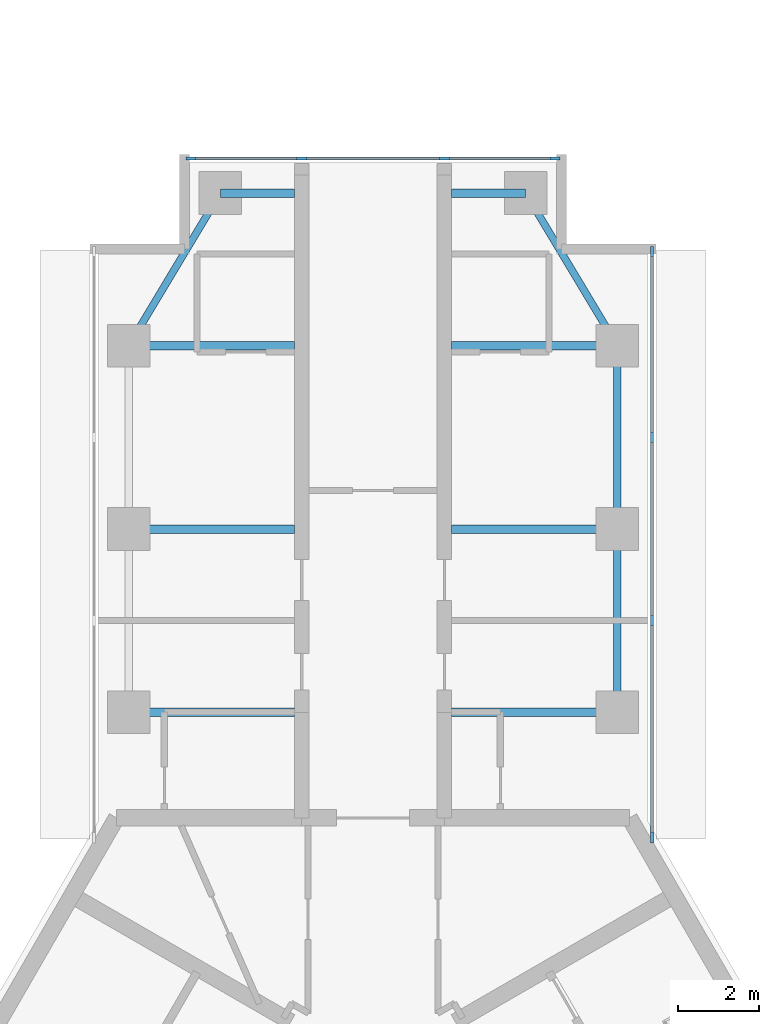
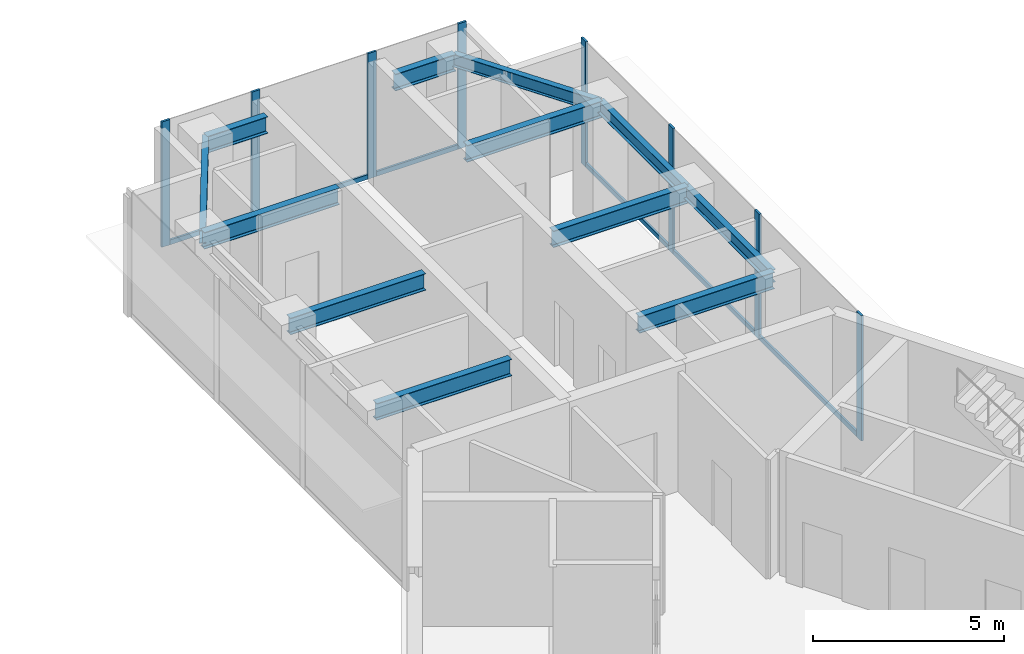
# One storey, part 3 of 11: 14 members, 12 beams, 2 elements without a shape of their own.
"""IFC4 building model written with IfcOpenShell, lengths in metres."""

import ifcopenshell
import ifcopenshell.guid

model = None  # the IFC model being written
_history = None  # IfcOwnerHistory: only IFC2X3 demands one
_inside = {}  # id of a spatial element -> (the spatial element, [elements in it])
_under = {}  # id of a project, library or spatial element -> (it, [spatial elements below it])
_declared = {}  # id of a project -> (the project, [libraries it declares])
_typed = {}  # id of a type object -> (the type object, [elements of that type])
_made_of = {}  # id of a material, layer set ... -> (it, [elements and type objects made of it])


def new_model(schema):
    """Start an empty IFC model of exactly this schema.

    Asked for "IFC4X3", IfcOpenShell would pick the latest addendum, in which some entities
    have other attributes; the version numbers below select the first issue.
    IFC2X3 requires an IfcOwnerHistory on every rooted entity: one is made here for all.
    """
    global model, _history
    if schema == "IFC4X3":
        model = ifcopenshell.file(schema_version=(4, 3, 0, 0))
    else:
        model = ifcopenshell.file(schema=schema)
    _inside.clear()
    _under.clear()
    _declared.clear()
    _typed.clear()
    _made_of.clear()
    _history = None
    if model.schema == "IFC2X3":
        org = make("IfcOrganization", Name="unknown")
        user = make(
            "IfcPersonAndOrganization",
            ThePerson=make("IfcPerson", FamilyName="unknown"),
            TheOrganization=org,
        )
        app = make(
            "IfcApplication",
            ApplicationDeveloper=org,
            Version="unknown",
            ApplicationFullName="unknown",
            ApplicationIdentifier="unknown",
        )
        _history = make(
            "IfcOwnerHistory",
            OwningUser=user,
            OwningApplication=app,
            ChangeAction="ADDED",
            CreationDate=0,
        )
    return model


def make(cls, **values):
    """One entity of the class cls with the attributes given. An attribute that is None is left unset."""
    return model.create_entity(
        cls, **{name: value for name, value in values.items() if value is not None}
    )


def rooted(cls, **values):
    """An entity with a GlobalId (a new one), such as an element, a storey or a relation."""
    return make(cls, GlobalId=ifcopenshell.guid.new(), OwnerHistory=_history, **values)


def si_unit(unit_type, name, prefix=None):
    """IfcSIUnit, for example si_unit("LENGTHUNIT", "METRE", prefix="MILLI")."""
    return make("IfcSIUnit", UnitType=unit_type, Prefix=prefix, Name=name)


def assignment(units):
    """IfcUnitAssignment: the units of a project."""
    return None if units is None else make("IfcUnitAssignment", Units=units)


def point(xyz):
    """IfcCartesianPoint."""
    return None if xyz is None else make("IfcCartesianPoint", Coordinates=xyz)


def direction(xyz):
    """IfcDirection."""
    return None if xyz is None else make("IfcDirection", DirectionRatios=xyz)


def frame(location, z_axis=None, x_axis=None):
    """IfcAxis2Placement3D, a coordinate frame: its origin and axes. An axis left out is left unset."""
    return make(
        "IfcAxis2Placement3D",
        Location=point(location),
        Axis=direction(z_axis),
        RefDirection=direction(x_axis),
    )


def frame_2d(location, x_axis=None):
    """IfcAxis2Placement2D, a coordinate frame in the plane: its origin and x axis."""
    return make(
        "IfcAxis2Placement2D", Location=point(location), RefDirection=direction(x_axis)
    )


def origin():
    """The frame at (0, 0, 0) with its axes left unset."""
    return frame((0.0, 0.0, 0.0))


def origin_2d():
    """The frame at (0, 0) in the plane with its x axis left unset."""
    return frame_2d((0.0, 0.0))


def place(relative_to, where):
    """IfcLocalPlacement: puts the frame where relative to a parent placement (None: the world)."""
    return make(
        "IfcLocalPlacement", PlacementRelTo=relative_to, RelativePlacement=where
    )


def context(
    kind, dimensions, precision=None, world=None, true_north=None, identifier=None
):
    """IfcGeometricRepresentationContext, for example the 3D "Model" context."""
    return make(
        "IfcGeometricRepresentationContext",
        ContextIdentifier=identifier,
        ContextType=kind,
        CoordinateSpaceDimension=dimensions,
        Precision=precision,
        WorldCoordinateSystem=world,
        TrueNorth=true_north,
    )


def subcontext(parent, identifier, kind, view, scale=None):
    """IfcGeometricRepresentationSubContext, for example "Body" below "Model"."""
    return make(
        "IfcGeometricRepresentationSubContext",
        ContextIdentifier=identifier,
        ContextType=kind,
        ParentContext=parent,
        TargetScale=scale,
        TargetView=view,
    )


def project(units=None, contexts=None):
    """IfcProject with its units and contexts."""
    return rooted(
        "IfcProject",
        Name="project",
        RepresentationContexts=contexts,
        UnitsInContext=assignment(units),
    )


def spatial(cls, under=None, at=None, **own):
    """A site, building, storey or space (cls), placed at a placement, below another one or the project."""
    s = rooted(cls, ObjectPlacement=at, **own)
    if under is not None:
        _under.setdefault(under.id(), (under, []))[1].append(s)
    return s


def profile(cls, at=None, kind="AREA", **sizes):
    """A parametric profile (cls). Its sizes go by their IFC names, for example OverallWidth=200.0."""
    return make(cls, ProfileType=kind, Position=at, **sizes)


def rectangle(**sizes):
    """IfcRectangleProfileDef."""
    return profile("IfcRectangleProfileDef", **sizes)


def i_section(**sizes):
    """IfcIShapeProfileDef."""
    return profile("IfcIShapeProfileDef", **sizes)


def extrude(swept, where, along, depth):
    """IfcExtrudedAreaSolid: the profile swept, set in the frame where, extruded along a direction by depth."""
    return make(
        "IfcExtrudedAreaSolid",
        SweptArea=swept,
        Position=where,
        ExtrudedDirection=direction(along),
        Depth=depth,
    )


def shape(context_of_items, identifier, shape_type, items):
    """IfcShapeRepresentation: the items that make up one representation, for example the "Body"."""
    return make(
        "IfcShapeRepresentation",
        ContextOfItems=context_of_items,
        RepresentationIdentifier=identifier,
        RepresentationType=shape_type,
        Items=items,
    )


def material(Name=None, Category=None):
    """IfcMaterial."""
    return make("IfcMaterial", Name=Name, Category=Category)


def material_profile(
    of_material, cross_section, Name=None, Category=None, Priority=None
):
    """IfcMaterialProfile: a cross section and its material."""
    return make(
        "IfcMaterialProfile",
        Name=Name,
        Material=of_material,
        Profile=cross_section,
        Priority=Priority,
        Category=Category,
    )


def profile_set(profiles, Name=None, composite=None):
    """IfcMaterialProfileSet."""
    return make(
        "IfcMaterialProfileSet",
        Name=Name,
        MaterialProfiles=profiles,
        CompositeProfile=composite,
    )


def made_of(thing, what):
    """Note that an element or type object is made of a material, layer set ...; save() writes the relation."""
    if what is not None:
        _made_of.setdefault(what.id(), (what, []))[1].append(thing)
    return thing


def type_object(cls, material=None, **own):
    """A type object (cls), such as IfcWallType, which elements share."""
    return made_of(rooted(cls, **own), material)


def element(
    cls,
    number,
    at=None,
    inside=None,
    cuts=None,
    type_object=None,
    material=None,
    context=None,
    identifier="Body",
    shape_type=None,
    held_by="IfcProductDefinitionShape",
    body=None,
    shapes=None,
    **own,
):
    """One element of the class cls, such as IfcWall. Its Tag is "e" and its number.

    at: its placement. inside: the storey or other place that contains it. cuts: it is an
    opening in that element (IfcRelVoidsElement). A single representation is given by context,
    identifier, shape_type and body (its items); several are given by shapes. held_by: the class
    of the entity that holds the representations. save() writes the other relations.
    """
    e = rooted(cls, Tag="e%d" % number, ObjectPlacement=at, **own)
    if body is not None:
        shapes = [shape(context, identifier, shape_type, body)]
    if shapes is not None:
        e.Representation = make(held_by, Representations=shapes)
    if inside is not None:
        _inside.setdefault(inside.id(), (inside, []))[1].append(e)
    if cuts is not None:
        rooted(
            "IfcRelVoidsElement", RelatingBuildingElement=cuts, RelatedOpeningElement=e
        )
    if type_object is not None:
        _typed.setdefault(type_object.id(), (type_object, []))[1].append(e)
    return made_of(e, material)


def aggregate(whole, parts):
    """IfcRelAggregates: a whole, such as a stair, and the parts it consists of."""
    return rooted("IfcRelAggregates", RelatingObject=whole, RelatedObjects=parts)


def save(model, path):
    """Write the relations noted so far, then the file.

    IfcRelAggregates (storeys below a building ...), IfcRelContainedInSpatialStructure (elements
    in a storey), IfcRelDefinesByType, IfcRelAssociatesMaterial and IfcRelDeclares: one each for
    every whole, place, type object, material and project.
    """
    for whole, parts in _under.values():
        aggregate(whole, parts)
    for where, things in _inside.values():
        rooted(
            "IfcRelContainedInSpatialStructure",
            RelatedElements=things,
            RelatingStructure=where,
        )
    for kind, things in _typed.values():
        rooted("IfcRelDefinesByType", RelatedObjects=things, RelatingType=kind)
    for what, things in _made_of.values():
        rooted("IfcRelAssociatesMaterial", RelatedObjects=things, RelatingMaterial=what)
    for by, libraries in _declared.values():
        rooted("IfcRelDeclares", RelatingContext=by, RelatedDefinitions=libraries)
    model.write(path)


model = new_model("IFC4")

# Units and contexts
model_context = context("Model", 3, precision=1e-05, world=origin(), true_north=direction((0.0, 1.0)))
body_context = subcontext(model_context, "Body", "Model", "MODEL_VIEW")
ifc_project = project(units=[si_unit("LENGTHUNIT", "METRE"), si_unit("AREAUNIT", "SQUARE_METRE"), si_unit("VOLUMEUNIT", "CUBIC_METRE"), si_unit("PLANEANGLEUNIT", "RADIAN"), si_unit("MASSUNIT", "GRAM", prefix="KILO")], contexts=[model_context])

# Site, building, storey
site_placement = place(None, origin())
site = spatial("IfcSite", under=ifc_project, at=site_placement, CompositionType="ELEMENT")
building_placement = place(site_placement, origin())
building = spatial("IfcBuilding", under=site, at=building_placement, Name="Upepo Twin Towers", CompositionType="ELEMENT")
storey_placement = place(building_placement, frame((0.0, 0.0, 255.5)))
storey = spatial("IfcBuildingStorey", under=building, at=storey_placement, Name="L62", CompositionType="ELEMENT", Elevation=255.5)

# Beams
ifc_material_1 = material(Name="Steel S355", Category="steel")
ifc_material_profile_1 = material_profile(ifc_material_1, i_section(OverallWidth=0.177978515625, OverallDepth=0.406494140625, WebThickness=0.0078125, FlangeThickness=0.0126953125, FilletRadius=0.01025390625, at=origin_2d()), Name="UB 406x178x60")
ifc_profile_set_1 = profile_set([ifc_material_profile_1], Name="Steel S355")
beam_type_1 = type_object("IfcBeamType", Name="Beam UB 406x178x60", PredefinedType="BEAM", material=ifc_profile_set_1)
beam_1_placement = place(storey_placement, frame((52.5, 4.5, 3.5966796875), z_axis=(0.514495755428, 0.857492925713, 0.0), x_axis=(-0.857492925713, 0.514495755428, 0.0)))
element("IfcBeam", 1, at=beam_1_placement, inside=storey, type_object=beam_type_1, Name="T2 nose edge beam AL", PredefinedType="BEAM", context=body_context, shape_type="SweptSolid", body=[
    extrude(i_section(OverallWidth=0.177978515625, OverallDepth=0.406494140625, WebThickness=0.0078125, FlangeThickness=0.0126953125, FilletRadius=0.01025390625, at=origin_2d()), origin(), (0.0, 0.0, 1.0), 4.373291015625),
])
for number, where, z_axis, x_axis, name in (
    (2, (64.5, -4.5, 3.5966796875), (0.0, 1.0, 0.0), (-1.0, 0.0, 0.0), "T2 edge beam AR 13.5-18.0"),
    (3, (64.5, 0.0, 3.5966796875), (0.0, 1.0, 0.0), (-1.0, 0.0, 0.0), "T2 edge beam AR 18.0-22.5"),
):
    element("IfcBeam", number, at=place(storey_placement, frame(where, z_axis=z_axis, x_axis=x_axis)), inside=storey, type_object=beam_type_1, Name=name, PredefinedType="BEAM", context=body_context, shape_type="SweptSolid", body=[
        extrude(i_section(OverallWidth=0.177978515625, OverallDepth=0.406494140625, WebThickness=0.0078125, FlangeThickness=0.0126953125, FilletRadius=0.01025390625, at=origin_2d()), origin(), (0.0, 0.0, 1.0), 4.5),
    ])
beam_2_placement = place(storey_placement, frame((64.5, 4.5, 3.5966796875), z_axis=(-0.514495755428, 0.857492925713, 0.0), x_axis=(-0.857492925713, -0.514495755428, 0.0)))
element("IfcBeam", 4, at=beam_2_placement, inside=storey, type_object=beam_type_1, Name="T2 nose edge beam AR", PredefinedType="BEAM", context=body_context, shape_type="SweptSolid", body=[
    extrude(i_section(OverallWidth=0.177978515625, OverallDepth=0.406494140625, WebThickness=0.0078125, FlangeThickness=0.0126953125, FilletRadius=0.01025390625, at=origin_2d()), origin(), (0.0, 0.0, 1.0), 4.373291015625),
])
ifc_material_2 = material(Name="Steel S355", Category="steel")
ifc_material_profile_2 = material_profile(ifc_material_2, i_section(OverallWidth=0.2099609375, OverallDepth=0.53662109375, WebThickness=0.0107421875, FlangeThickness=0.017333984375, FilletRadius=0.0126953125, at=origin_2d()), Name="UB 533x210x101")
ifc_profile_set_2 = profile_set([ifc_material_profile_2], Name="Steel S355")
beam_type_2 = type_object("IfcBeamType", Name="Beam UB 533x210x101", PredefinedType="BEAM", material=ifc_profile_set_2)
for number, where, z_axis, x_axis, name in (
    (5, (54.75, 8.25, 3.53173828125), (1.0, 0.0, 0.0), (0.0, 1.0, 0.0), "T2 nose beam AL"),
    (6, (62.25, 8.25, 3.53173828125), (-1.0, 0.0, 0.0), (0.0, -1.0, 0.0), "T2 nose beam AR"),
):
    element("IfcBeam", number, at=place(storey_placement, frame(where, z_axis=z_axis, x_axis=x_axis)), inside=storey, type_object=beam_type_2, Name=name, PredefinedType="BEAM", context=body_context, shape_type="SweptSolid", body=[
        extrude(i_section(OverallWidth=0.2099609375, OverallDepth=0.53662109375, WebThickness=0.0107421875, FlangeThickness=0.017333984375, FilletRadius=0.0126953125, at=origin_2d()), origin(), (0.0, 0.0, 1.0), 1.824951171875),
    ])
ifc_material_3 = material(Name="Steel S355", Category="steel")
ifc_material_profile_3 = material_profile(ifc_material_3, i_section(OverallWidth=0.209228515625, OverallDepth=0.533203125, WebThickness=0.010009765625, FlangeThickness=0.015625, FilletRadius=0.0126953125, at=origin_2d()), Name="UB 533x210x92")
ifc_profile_set_3 = profile_set([ifc_material_profile_3], Name="Steel S355")
beam_type_3 = type_object("IfcBeamType", Name="Beam UB 533x210x92", PredefinedType="BEAM", material=ifc_profile_set_3)
for number, where, z_axis, x_axis, name in (
    (7, (52.5, -4.5, 3.533447265625), (1.0, 0.0, 0.0), (0.0, 1.0, 0.0), "T2 girder AL at 13.5"),
    (8, (52.5, 0.0, 3.533447265625), (1.0, 0.0, 0.0), (0.0, 1.0, 0.0), "T2 girder AL at 18.0"),
    (9, (52.5, 4.5, 3.533447265625), (1.0, 0.0, 0.0), (0.0, 1.0, 0.0), "T2 girder AL at 22.5"),
    (10, (64.5, -4.5, 3.533447265625), (-1.0, 0.0, 0.0), (0.0, -1.0, 0.0), "T2 girder AR at 13.5"),
    (11, (64.5, 0.0, 3.533447265625), (-1.0, 0.0, 0.0), (0.0, -1.0, 0.0), "T2 girder AR at 18.0"),
    (12, (64.5, 4.5, 3.533447265625), (-1.0, 0.0, 0.0), (0.0, -1.0, 0.0), "T2 girder AR at 22.5"),
):
    element("IfcBeam", number, at=place(storey_placement, frame(where, z_axis=z_axis, x_axis=x_axis)), inside=storey, type_object=beam_type_3, Name=name, PredefinedType="BEAM", context=body_context, shape_type="SweptSolid", body=[
        extrude(i_section(OverallWidth=0.209228515625, OverallDepth=0.533203125, WebThickness=0.010009765625, FlangeThickness=0.015625, FilletRadius=0.0126953125, at=origin_2d()), origin(), (0.0, 0.0, 1.0), 4.074951171875),
    ])

# Curtain wall, members
ifc_material_4 = material(Name="Aluminium and fritted glass", Category="aluminium")
curtain_wall_type = type_object("IfcCurtainWallType", Name="Tower curtain wall TW4, fritted glass", PredefinedType="NOTDEFINED", material=ifc_material_4)
curtain_wall_1_placement = place(storey_placement, origin())
curtain_wall_1 = element("IfcCurtainWall", 13, at=curtain_wall_1_placement, inside=storey, type_object=curtain_wall_type, Name="T2 L62 wing A flank R curtain wall", PredefinedType="NOTDEFINED")
ifc_material_5 = material(Name="Aluminium mullion", Category="aluminium")
ifc_material_profile_4 = material_profile(ifc_material_5, rectangle(XDim=0.06494140625, YDim=0.25, at=origin_2d()), Name="MULLION 65x250")
ifc_profile_set_4 = profile_set([ifc_material_profile_4], Name="Aluminium mullion")
member_type_1 = type_object("IfcMemberType", Name="Mullion 65x250 TW4", PredefinedType="MULLION", material=ifc_profile_set_4)
member_1_placement = place(storey_placement, frame((65.35009765625, 6.8173828125, 0.0), z_axis=(0.0, 0.0, 1.0), x_axis=(1.0, 0.0, 0.0)))
member_1 = element("IfcMember", 14, at=member_1_placement, type_object=member_type_1, Name="T2 L62 wing A flank R curtain wall mullion 1", PredefinedType="MULLION", context=body_context, shape_type="SweptSolid", body=[
    extrude(rectangle(XDim=0.06494140625, YDim=0.25, at=origin_2d()), origin(), (0.0, 0.0, 1.0), 4.0),
])
member_2_placement = place(storey_placement, frame((65.35009765625, 2.25, 0.0), z_axis=(0.0, 0.0, 1.0), x_axis=(1.0, 0.0, 0.0)))
member_2 = element("IfcMember", 15, at=member_2_placement, type_object=member_type_1, Name="T2 L62 wing A flank R curtain wall mullion 2", PredefinedType="MULLION", context=body_context, shape_type="SweptSolid", body=[
    extrude(rectangle(XDim=0.06494140625, YDim=0.25, at=origin_2d()), origin(), (0.0, 0.0, 1.0), 4.0),
])
member_3_placement = place(storey_placement, frame((65.35009765625, -2.25, 0.0), z_axis=(0.0, 0.0, 1.0), x_axis=(1.0, 0.0, 0.0)))
member_3 = element("IfcMember", 16, at=member_3_placement, type_object=member_type_1, Name="T2 L62 wing A flank R curtain wall mullion 3", PredefinedType="MULLION", context=body_context, shape_type="SweptSolid", body=[
    extrude(rectangle(XDim=0.06494140625, YDim=0.25, at=origin_2d()), origin(), (0.0, 0.0, 1.0), 4.0),
])
member_4_placement = place(storey_placement, frame((65.35009765625, -7.580322265625, 0.0), z_axis=(0.0, 0.0, 1.0), x_axis=(1.0, 0.0, 0.0)))
member_4 = element("IfcMember", 17, at=member_4_placement, type_object=member_type_1, Name="T2 L62 wing A flank R curtain wall mullion 4", PredefinedType="MULLION", context=body_context, shape_type="SweptSolid", body=[
    extrude(rectangle(XDim=0.06494140625, YDim=0.25, at=origin_2d()), origin(), (0.0, 0.0, 1.0), 4.0),
])

curtain_wall_2_placement = place(storey_placement, origin())
curtain_wall_2 = element("IfcCurtainWall", 18, at=curtain_wall_2_placement, inside=storey, type_object=curtain_wall_type, Name="T2 L62 wing A nose curtain wall", PredefinedType="NOTDEFINED")
member_5_placement = place(storey_placement, frame((62.967529296875, 9.10009765625, 0.0), z_axis=(0.0, 0.0, 1.0), x_axis=(0.0, -1.0, 0.0)))
member_5 = element("IfcMember", 19, at=member_5_placement, type_object=member_type_1, Name="T2 L62 wing A nose curtain wall mullion 1", PredefinedType="MULLION", context=body_context, shape_type="SweptSolid", body=[
    extrude(rectangle(XDim=0.06494140625, YDim=0.25, at=origin_2d()), origin(), (0.0, 0.0, 1.0), 4.0),
])
member_6_placement = place(storey_placement, frame((60.25, 9.10009765625, 0.0), z_axis=(0.0, 0.0, 1.0), x_axis=(0.0, -1.0, 0.0)))
member_6 = element("IfcMember", 20, at=member_6_placement, type_object=member_type_1, Name="T2 L62 wing A nose curtain wall mullion 2", PredefinedType="MULLION", context=body_context, shape_type="SweptSolid", body=[
    extrude(rectangle(XDim=0.06494140625, YDim=0.25, at=origin_2d()), origin(), (0.0, 0.0, 1.0), 4.0),
])
member_7_placement = place(storey_placement, frame((56.75, 9.10009765625, 0.0), z_axis=(0.0, 0.0, 1.0), x_axis=(0.0, -1.0, 0.0)))
member_7 = element("IfcMember", 21, at=member_7_placement, type_object=member_type_1, Name="T2 L62 wing A nose curtain wall mullion 3", PredefinedType="MULLION", context=body_context, shape_type="SweptSolid", body=[
    extrude(rectangle(XDim=0.06494140625, YDim=0.25, at=origin_2d()), origin(), (0.0, 0.0, 1.0), 4.0),
])
member_8_placement = place(storey_placement, frame((54.032470703125, 9.10009765625, 0.0), z_axis=(0.0, 0.0, 1.0), x_axis=(0.0, -1.0, 0.0)))
member_8 = element("IfcMember", 22, at=member_8_placement, type_object=member_type_1, Name="T2 L62 wing A nose curtain wall mullion 4", PredefinedType="MULLION", context=body_context, shape_type="SweptSolid", body=[
    extrude(rectangle(XDim=0.06494140625, YDim=0.25, at=origin_2d()), origin(), (0.0, 0.0, 1.0), 4.0),
])

# Member
ifc_material_6 = material(Name="Aluminium transom", Category="aluminium")
ifc_material_profile_5 = material_profile(ifc_material_6, rectangle(XDim=0.06494140625, YDim=0.14990234375, at=origin_2d()), Name="TRANSOM 65x150")
ifc_profile_set_5 = profile_set([ifc_material_profile_5], Name="Aluminium transom")
member_type_2 = type_object("IfcMemberType", Name="Transom 65x150 TW4", PredefinedType="USERDEFINED", material=ifc_profile_set_5)
member_9_placement = place(storey_placement, frame((65.35009765625, 6.784912109375, 0.074951171875), z_axis=(0.0, -1.0, 0.0), x_axis=(1.0, 0.0, 0.0)))
member_9 = element("IfcMember", 23, at=member_9_placement, type_object=member_type_2, Name="T2 L62 wing A flank R curtain wall transom 1", ObjectType="TRANSOM", PredefinedType="USERDEFINED", context=body_context, shape_type="SweptSolid", body=[
    extrude(rectangle(XDim=0.06494140625, YDim=0.14990234375, at=origin_2d()), origin(), (0.0, 0.0, 1.0), 4.50244140625),
])

member_10_placement = place(storey_placement, frame((65.35009765625, 2.217529296875, 0.074951171875), z_axis=(0.0, -1.0, 0.0), x_axis=(1.0, 0.0, 0.0)))
member_10 = element("IfcMember", 24, at=member_10_placement, type_object=member_type_2, Name="T2 L62 wing A flank R curtain wall transom 2", ObjectType="TRANSOM", PredefinedType="USERDEFINED", context=body_context, shape_type="SweptSolid", body=[
    extrude(rectangle(XDim=0.06494140625, YDim=0.14990234375, at=origin_2d()), origin(), (0.0, 0.0, 1.0), 4.43505859375),
])

member_11_placement = place(storey_placement, frame((65.35009765625, -2.282470703125, 0.074951171875), z_axis=(0.0, -1.0, 0.0), x_axis=(1.0, 0.0, 0.0)))
member_11 = element("IfcMember", 25, at=member_11_placement, type_object=member_type_2, Name="T2 L62 wing A flank R curtain wall transom 3", ObjectType="TRANSOM", PredefinedType="USERDEFINED", context=body_context, shape_type="SweptSolid", body=[
    extrude(rectangle(XDim=0.06494140625, YDim=0.14990234375, at=origin_2d()), origin(), (0.0, 0.0, 1.0), 5.265380859375),
])

aggregate(curtain_wall_1, [member_1, member_2, member_3, member_4, member_9, member_10, member_11])

member_12_placement = place(storey_placement, frame((62.93505859375, 9.10009765625, 0.074951171875), z_axis=(-1.0, 0.0, 0.0), x_axis=(0.0, -1.0, 0.0)))
member_12 = element("IfcMember", 26, at=member_12_placement, type_object=member_type_2, Name="T2 L62 wing A nose curtain wall transom 1", ObjectType="TRANSOM", PredefinedType="USERDEFINED", context=body_context, shape_type="SweptSolid", body=[
    extrude(rectangle(XDim=0.06494140625, YDim=0.14990234375, at=origin_2d()), origin(), (0.0, 0.0, 1.0), 2.652587890625),
])

member_13_placement = place(storey_placement, frame((60.217529296875, 9.10009765625, 0.074951171875), z_axis=(-1.0, 0.0, 0.0), x_axis=(0.0, -1.0, 0.0)))
member_13 = element("IfcMember", 27, at=member_13_placement, type_object=member_type_2, Name="T2 L62 wing A nose curtain wall transom 2", ObjectType="TRANSOM", PredefinedType="USERDEFINED", context=body_context, shape_type="SweptSolid", body=[
    extrude(rectangle(XDim=0.06494140625, YDim=0.14990234375, at=origin_2d()), origin(), (0.0, 0.0, 1.0), 3.43505859375),
])

member_14_placement = place(storey_placement, frame((56.717529296875, 9.10009765625, 0.074951171875), z_axis=(-1.0, 0.0, 0.0), x_axis=(0.0, -1.0, 0.0)))
member_14 = element("IfcMember", 28, at=member_14_placement, type_object=member_type_2, Name="T2 L62 wing A nose curtain wall transom 3", ObjectType="TRANSOM", PredefinedType="USERDEFINED", context=body_context, shape_type="SweptSolid", body=[
    extrude(rectangle(XDim=0.06494140625, YDim=0.14990234375, at=origin_2d()), origin(), (0.0, 0.0, 1.0), 2.652587890625),
])

aggregate(curtain_wall_2, [member_5, member_6, member_7, member_8, member_12, member_13, member_14])

save(model, "model.ifc")
